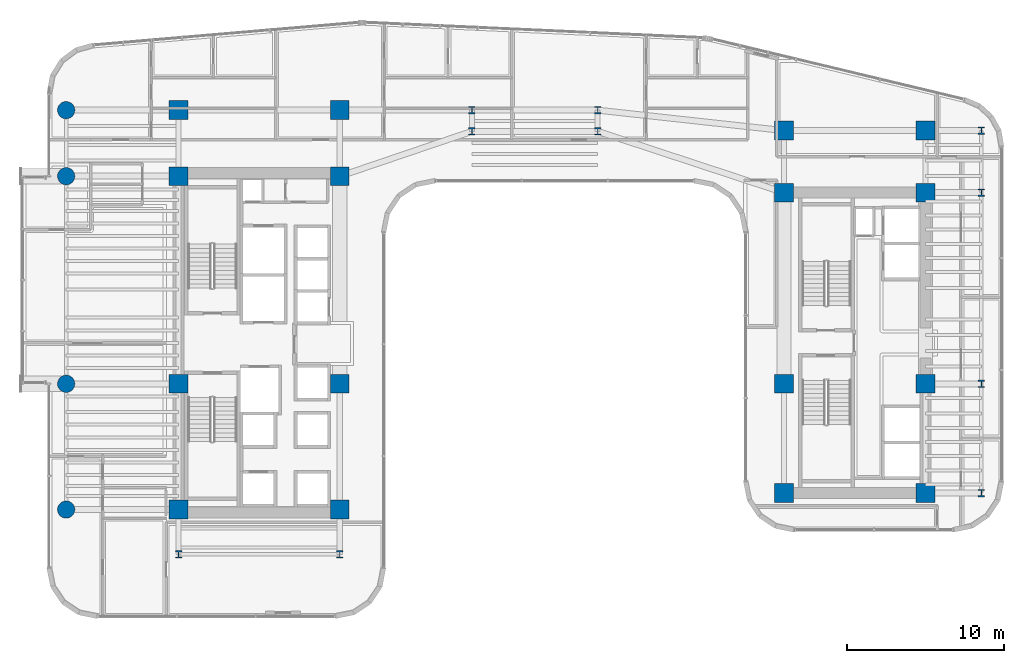
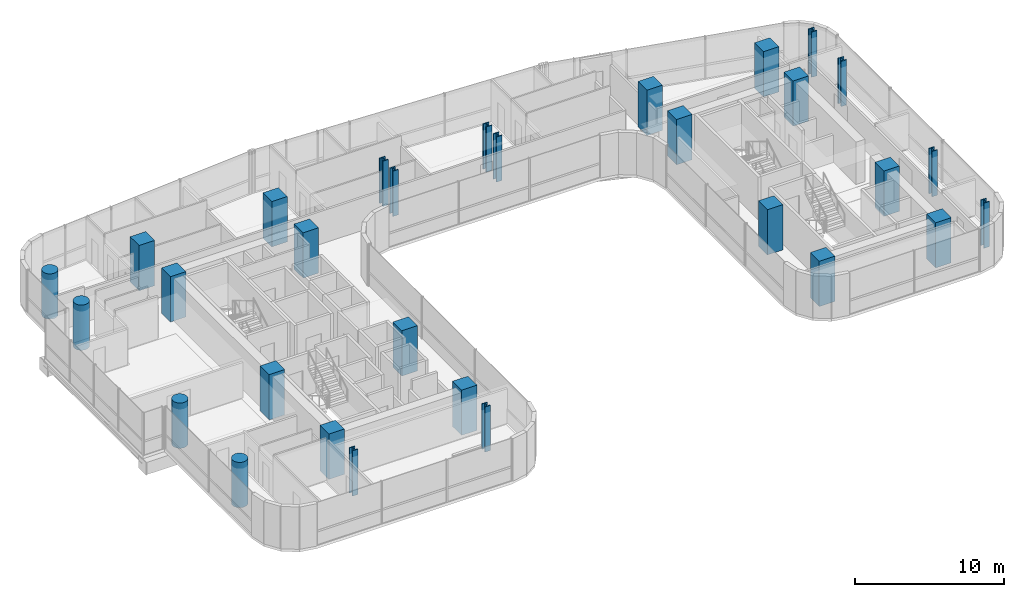
# One storey, part 1 of 35: 30 columns.
"""IFC4 building model written with IfcOpenShell, lengths in metres."""

from ifc_helpers import new_model, si_unit, direction, frame, origin, origin_2d, place, context, subcontext, project, spatial, rectangle, circle, i_section, extrude, source, transform, mapped, material, material_profile, profile_set, type_object, element, save


model = new_model("IFC4")

# Units and contexts
model_context = context("Model", 3, precision=1e-05, world=origin(), true_north=direction((0.0, 1.0)))
body_context = subcontext(model_context, "Body", "Model", "MODEL_VIEW")
ifc_project = project(units=[si_unit("LENGTHUNIT", "METRE"), si_unit("AREAUNIT", "SQUARE_METRE"), si_unit("VOLUMEUNIT", "CUBIC_METRE"), si_unit("PLANEANGLEUNIT", "RADIAN"), si_unit("MASSUNIT", "GRAM", prefix="KILO")], contexts=[model_context])

# Site, building, storey
site_placement = place(None, origin())
site = spatial("IfcSite", under=ifc_project, at=site_placement, CompositionType="ELEMENT")
building_placement = place(site_placement, origin())
building = spatial("IfcBuilding", under=site, at=building_placement, Name="Valdorenza Pilgrim Sanctuary Tower", CompositionType="ELEMENT")
storey_placement = place(building_placement, frame((0.0, 0.0, 105.699951171875)))
storey = spatial("IfcBuildingStorey", under=building, at=storey_placement, Name="L26", CompositionType="ELEMENT", Elevation=105.699951171875)

# Columns
ifc_material_1 = material(Name="Concrete C50/60", Category="concrete")
ifc_material_profile_1 = material_profile(ifc_material_1, circle(Radius=0.550048828125, at=origin_2d()), Name="RC D1100")
ifc_profile_set_1 = profile_set([ifc_material_profile_1], Name="Concrete C50/60")
column_type_1 = type_object("IfcColumnType", Name="COL-RND-1100", PredefinedType="COLUMN", material=ifc_profile_set_1)
shared_shape_1 = source(origin(), body_context, "Body", "SweptSolid", [
    extrude(circle(Radius=0.550048828125, at=origin_2d()), origin(), (0.0, 0.0, 1.0), 3.699951171875),
])
for number, where, z_axis, x_axis, name in (
    (1, (-29.800048828125, -10.60009765625, 0.0), (0.0, 0.0, 1.0), (1.0, 0.0, 0.0), "L26 Perimeter Column WA-W-S1"),
    (2, (-29.800048828125, -2.60009765625, 0.0), (0.0, 0.0, 1.0), (1.0, 0.0, 0.0), "L26 Perimeter Column WA-W-M0"),
    (3, (-29.800048828125, 10.60009765625, 0.0), (0.0, 0.0, 1.0), (1.0, 0.0, 0.0), "L26 Perimeter Column WA-W-N1"),
    (4, (-29.800048828125, 14.800048828125, 0.0), (0.0, 0.0, 1.0), (1.0, 0.0, 0.0), "L26 Perimeter Column WA-W-N2"),
):
    element("IfcColumn", number, at=place(storey_placement, frame(where, z_axis=z_axis, x_axis=x_axis)), inside=storey, type_object=column_type_1, Name=name, PredefinedType="COLUMN", context=body_context, shape_type="MappedRepresentation", body=[
        mapped(shared_shape_1, transform((0.0, 0.0, 0.0), x_axis=(1.0, 0.0, 0.0), y_axis=(0.0, 1.0, 0.0), z_axis=(0.0, 0.0, 1.0), scale=1.0)),
    ])
ifc_material_2 = material(Name="Concrete C60/75", Category="concrete")
ifc_material_profile_2 = material_profile(ifc_material_2, rectangle(XDim=1.199951171875, YDim=1.199951171875, at=origin_2d()), Name="RC 1200x1200")
ifc_profile_set_2 = profile_set([ifc_material_profile_2], Name="Concrete C60/75")
column_type_2 = type_object("IfcColumnType", Name="COL-Z2-1200", PredefinedType="COLUMN", material=ifc_profile_set_2)
shared_shape_2 = source(origin(), body_context, "Body", "SweptSolid", [
    extrude(rectangle(XDim=1.199951171875, YDim=1.199951171875, at=origin_2d()), origin(), (0.0, 0.0, 1.0), 3.699951171875),
])
for number, where, z_axis, x_axis, name in (
    (5, (-22.64990234375, -10.60009765625, 0.0), (0.0, 0.0, 1.0), (1.0, 0.0, 0.0), "L26 Column CA-W-S1"),
    (6, (-12.39990234375, -10.60009765625, 0.0), (0.0, 0.0, 1.0), (1.0, 0.0, 0.0), "L26 Column CA-E-S1"),
    (7, (-22.64990234375, -2.60009765625, 0.0), (0.0, 0.0, 1.0), (1.0, 0.0, 0.0), "L26 Column CA-W-M0"),
    (8, (-12.39990234375, -2.60009765625, 0.0), (0.0, 0.0, 1.0), (1.0, 0.0, 0.0), "L26 Column CA-E-M0"),
    (9, (-22.64990234375, 10.60009765625, 0.0), (0.0, 0.0, 1.0), (1.0, 0.0, 0.0), "L26 Column CA-W-N1"),
    (10, (-12.39990234375, 10.60009765625, 0.0), (0.0, 0.0, 1.0), (1.0, 0.0, 0.0), "L26 Column CA-E-N1"),
    (11, (-22.64990234375, 14.800048828125, 0.0), (0.0, 0.0, 1.0), (1.0, 0.0, 0.0), "L26 Column CA-W-N2"),
    (12, (-12.39990234375, 14.800048828125, 0.0), (0.0, 0.0, 1.0), (1.0, 0.0, 0.0), "L26 Column CA-E-N2"),
    (13, (15.85009765625, -9.550048828125, 0.0), (0.0, 0.0, 1.0), (1.0, 0.0, 0.0), "L26 Column CB-W-S1"),
    (14, (24.85009765625, -9.550048828125, 0.0), (0.0, 0.0, 1.0), (1.0, 0.0, 0.0), "L26 Column CB-E-S1"),
    (15, (15.85009765625, -2.60009765625, 0.0), (0.0, 0.0, 1.0), (1.0, 0.0, 0.0), "L26 Column CB-W-M0"),
    (16, (24.85009765625, -2.60009765625, 0.0), (0.0, 0.0, 1.0), (1.0, 0.0, 0.0), "L26 Column CB-E-M0"),
    (17, (15.85009765625, 9.550048828125, 0.0), (0.0, 0.0, 1.0), (1.0, 0.0, 0.0), "L26 Column CB-W-N1"),
    (18, (24.85009765625, 9.550048828125, 0.0), (0.0, 0.0, 1.0), (1.0, 0.0, 0.0), "L26 Column CB-E-N1"),
    (19, (15.85009765625, 13.5, 0.0), (0.0, 0.0, 1.0), (1.0, 0.0, 0.0), "L26 Column CB-W-N2"),
    (20, (24.85009765625, 13.5, 0.0), (0.0, 0.0, 1.0), (1.0, 0.0, 0.0), "L26 Column CB-E-N2"),
):
    element("IfcColumn", number, at=place(storey_placement, frame(where, z_axis=z_axis, x_axis=x_axis)), inside=storey, type_object=column_type_2, Name=name, PredefinedType="COLUMN", context=body_context, shape_type="MappedRepresentation", body=[
        mapped(shared_shape_2, transform((0.0, 0.0, 0.0), x_axis=(1.0, 0.0, 0.0), y_axis=(0.0, 1.0, 0.0), z_axis=(0.0, 0.0, 1.0), scale=1.0)),
    ])
ifc_material_3 = material(Name="Steel ASTM A992 Grade 50", Category="steel")
ifc_material_profile_3 = material_profile(ifc_material_3, i_section(OverallWidth=0.424072265625, OverallDepth=0.47412109375, WebThickness=0.047607421875, FlangeThickness=0.0771484375, at=origin_2d()), Name="W14X426")
ifc_profile_set_3 = profile_set([ifc_material_profile_3], Name="Steel ASTM A992 Grade 50")
column_type_3 = type_object("IfcColumnType", Name="COL-STL-W426", PredefinedType="COLUMN", material=ifc_profile_set_3)
shared_shape_3 = source(origin(), body_context, "Body", "SweptSolid", [
    extrude(i_section(OverallWidth=0.424072265625, OverallDepth=0.47412109375, WebThickness=0.047607421875, FlangeThickness=0.0771484375, at=origin_2d()), origin(), (0.0, 0.0, 1.0), 3.699951171875),
])
for number, where, z_axis, x_axis, name in (
    (21, (-22.64990234375, -13.449951171875, 0.0), (0.0, 0.0, 1.0), (1.0, 0.0, 0.0), "L26 Column WA-S-W"),
    (22, (-12.39990234375, -13.449951171875, 0.0), (0.0, 0.0, 1.0), (1.0, 0.0, 0.0), "L26 Column WA-S-E"),
    (23, (28.39990234375, -9.550048828125, 0.0), (0.0, 0.0, 1.0), (1.0, 0.0, 0.0), "L26 Perimeter Column WB-E-S1"),
    (24, (28.39990234375, -2.60009765625, 0.0), (0.0, 0.0, 1.0), (1.0, 0.0, 0.0), "L26 Perimeter Column WB-E-M0"),
    (25, (28.39990234375, 9.550048828125, 0.0), (0.0, 0.0, 1.0), (1.0, 0.0, 0.0), "L26 Perimeter Column WB-E-N1"),
    (26, (28.39990234375, 13.5, 0.0), (0.0, 0.0, 1.0), (1.0, 0.0, 0.0), "L26 Perimeter Column WB-E-N2"),
    (27, (-4.0, 13.449951171875, 0.0), (0.0, 0.0, 1.0), (1.0, 0.0, 0.0), "L26 Column KNK-W1"),
    (28, (-4.0, 14.800048828125, 0.0), (0.0, 0.0, 1.0), (1.0, 0.0, 0.0), "L26 Column KNK-W2"),
    (29, (4.0, 13.449951171875, 0.0), (0.0, 0.0, 1.0), (1.0, 0.0, 0.0), "L26 Column KNK-E1"),
    (30, (4.0, 14.800048828125, 0.0), (0.0, 0.0, 1.0), (1.0, 0.0, 0.0), "L26 Column KNK-E2"),
):
    element("IfcColumn", number, at=place(storey_placement, frame(where, z_axis=z_axis, x_axis=x_axis)), inside=storey, type_object=column_type_3, Name=name, PredefinedType="COLUMN", context=body_context, shape_type="MappedRepresentation", body=[
        mapped(shared_shape_3, transform((0.0, 0.0, 0.0), x_axis=(1.0, 0.0, 0.0), y_axis=(0.0, 1.0, 0.0), z_axis=(0.0, 0.0, 1.0), scale=1.0)),
    ])

save(model, "model.ifc")
